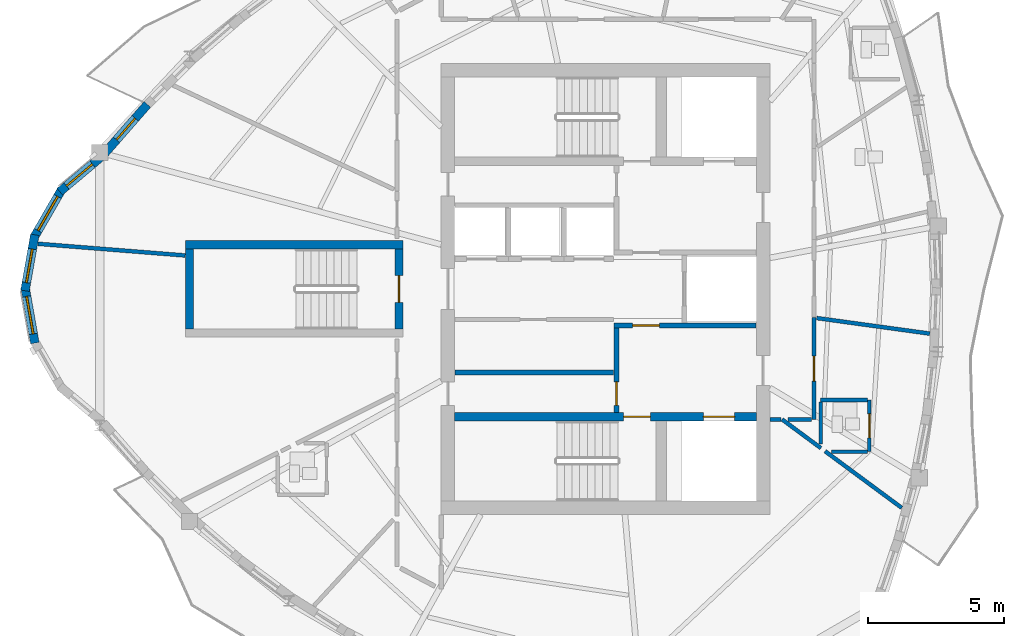
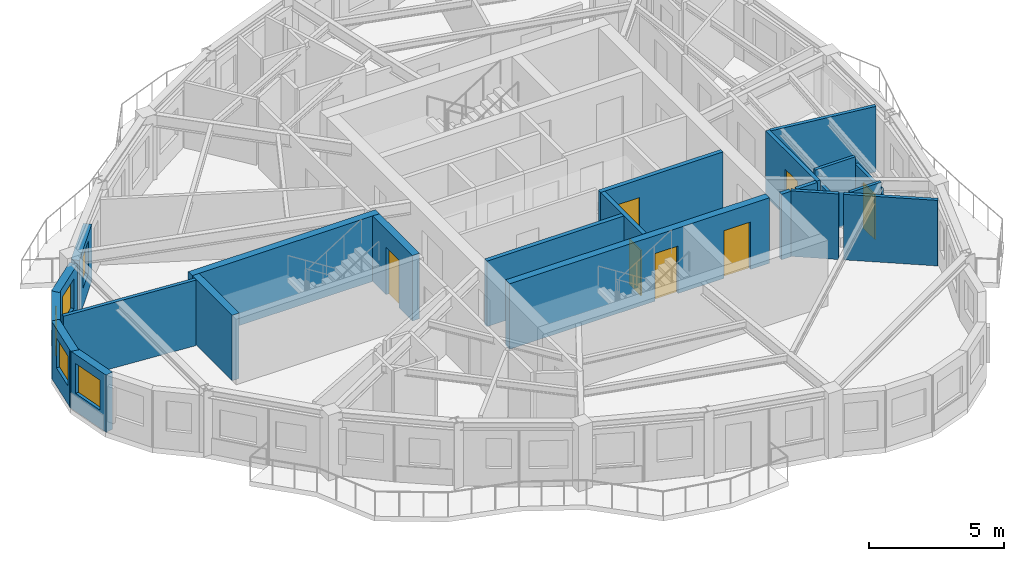
# One storey, part 4 of 12: 23 walls, 7 doors, 5 windows, 12 openings.
"""IFC4 building model written with IfcOpenShell, lengths in metres."""

import ifcopenshell
import ifcopenshell.guid

model = None  # the IFC model being written
_history = None  # IfcOwnerHistory: only IFC2X3 demands one
_inside = {}  # id of a spatial element -> (the spatial element, [elements in it])
_under = {}  # id of a project, library or spatial element -> (it, [spatial elements below it])
_declared = {}  # id of a project -> (the project, [libraries it declares])
_typed = {}  # id of a type object -> (the type object, [elements of that type])
_made_of = {}  # id of a material, layer set ... -> (it, [elements and type objects made of it])


def new_model(schema):
    """Start an empty IFC model of exactly this schema.

    Asked for "IFC4X3", IfcOpenShell would pick the latest addendum, in which some entities
    have other attributes; the version numbers below select the first issue.
    IFC2X3 requires an IfcOwnerHistory on every rooted entity: one is made here for all.
    """
    global model, _history
    if schema == "IFC4X3":
        model = ifcopenshell.file(schema_version=(4, 3, 0, 0))
    else:
        model = ifcopenshell.file(schema=schema)
    _inside.clear()
    _under.clear()
    _declared.clear()
    _typed.clear()
    _made_of.clear()
    _history = None
    if model.schema == "IFC2X3":
        org = make("IfcOrganization", Name="unknown")
        user = make(
            "IfcPersonAndOrganization",
            ThePerson=make("IfcPerson", FamilyName="unknown"),
            TheOrganization=org,
        )
        app = make(
            "IfcApplication",
            ApplicationDeveloper=org,
            Version="unknown",
            ApplicationFullName="unknown",
            ApplicationIdentifier="unknown",
        )
        _history = make(
            "IfcOwnerHistory",
            OwningUser=user,
            OwningApplication=app,
            ChangeAction="ADDED",
            CreationDate=0,
        )
    return model


def make(cls, **values):
    """One entity of the class cls with the attributes given. An attribute that is None is left unset."""
    return model.create_entity(
        cls, **{name: value for name, value in values.items() if value is not None}
    )


def rooted(cls, **values):
    """An entity with a GlobalId (a new one), such as an element, a storey or a relation."""
    return make(cls, GlobalId=ifcopenshell.guid.new(), OwnerHistory=_history, **values)


def si_unit(unit_type, name, prefix=None):
    """IfcSIUnit, for example si_unit("LENGTHUNIT", "METRE", prefix="MILLI")."""
    return make("IfcSIUnit", UnitType=unit_type, Prefix=prefix, Name=name)


def assignment(units):
    """IfcUnitAssignment: the units of a project."""
    return None if units is None else make("IfcUnitAssignment", Units=units)


def point(xyz):
    """IfcCartesianPoint."""
    return None if xyz is None else make("IfcCartesianPoint", Coordinates=xyz)


def direction(xyz):
    """IfcDirection."""
    return None if xyz is None else make("IfcDirection", DirectionRatios=xyz)


def frame(location, z_axis=None, x_axis=None):
    """IfcAxis2Placement3D, a coordinate frame: its origin and axes. An axis left out is left unset."""
    return make(
        "IfcAxis2Placement3D",
        Location=point(location),
        Axis=direction(z_axis),
        RefDirection=direction(x_axis),
    )


def frame_2d(location, x_axis=None):
    """IfcAxis2Placement2D, a coordinate frame in the plane: its origin and x axis."""
    return make(
        "IfcAxis2Placement2D", Location=point(location), RefDirection=direction(x_axis)
    )


def origin():
    """The frame at (0, 0, 0) with its axes left unset."""
    return frame((0.0, 0.0, 0.0))


def place(relative_to, where):
    """IfcLocalPlacement: puts the frame where relative to a parent placement (None: the world)."""
    return make(
        "IfcLocalPlacement", PlacementRelTo=relative_to, RelativePlacement=where
    )


def context(
    kind, dimensions, precision=None, world=None, true_north=None, identifier=None
):
    """IfcGeometricRepresentationContext, for example the 3D "Model" context."""
    return make(
        "IfcGeometricRepresentationContext",
        ContextIdentifier=identifier,
        ContextType=kind,
        CoordinateSpaceDimension=dimensions,
        Precision=precision,
        WorldCoordinateSystem=world,
        TrueNorth=true_north,
    )


def subcontext(parent, identifier, kind, view, scale=None):
    """IfcGeometricRepresentationSubContext, for example "Body" below "Model"."""
    return make(
        "IfcGeometricRepresentationSubContext",
        ContextIdentifier=identifier,
        ContextType=kind,
        ParentContext=parent,
        TargetScale=scale,
        TargetView=view,
    )


def project(units=None, contexts=None):
    """IfcProject with its units and contexts."""
    return rooted(
        "IfcProject",
        Name="project",
        RepresentationContexts=contexts,
        UnitsInContext=assignment(units),
    )


def spatial(cls, under=None, at=None, **own):
    """A site, building, storey or space (cls), placed at a placement, below another one or the project."""
    s = rooted(cls, ObjectPlacement=at, **own)
    if under is not None:
        _under.setdefault(under.id(), (under, []))[1].append(s)
    return s


def profile(cls, at=None, kind="AREA", **sizes):
    """A parametric profile (cls). Its sizes go by their IFC names, for example OverallWidth=200.0."""
    return make(cls, ProfileType=kind, Position=at, **sizes)


def rectangle(**sizes):
    """IfcRectangleProfileDef."""
    return profile("IfcRectangleProfileDef", **sizes)


def extrude(swept, where, along, depth):
    """IfcExtrudedAreaSolid: the profile swept, set in the frame where, extruded along a direction by depth."""
    return make(
        "IfcExtrudedAreaSolid",
        SweptArea=swept,
        Position=where,
        ExtrudedDirection=direction(along),
        Depth=depth,
    )


def shape(context_of_items, identifier, shape_type, items):
    """IfcShapeRepresentation: the items that make up one representation, for example the "Body"."""
    return make(
        "IfcShapeRepresentation",
        ContextOfItems=context_of_items,
        RepresentationIdentifier=identifier,
        RepresentationType=shape_type,
        Items=items,
    )


def source(mapping_origin, context_of_items, identifier, shape_type, items):
    """IfcRepresentationMap: a shape defined once, which mapped items show again and again."""
    return make(
        "IfcRepresentationMap",
        MappingOrigin=mapping_origin,
        MappedRepresentation=shape(context_of_items, identifier, shape_type, items),
    )


def transform(
    local_origin,
    x_axis=None,
    y_axis=None,
    z_axis=None,
    scale=None,
    scale2=None,
    scale3=None,
    uniform=True,
):
    """IfcCartesianTransformationOperator3D, or its non-uniform kind. x_axis, y_axis, z_axis: its Axis1, 2, 3."""
    if uniform:
        return make(
            "IfcCartesianTransformationOperator3D",
            Axis1=direction(x_axis),
            Axis2=direction(y_axis),
            LocalOrigin=point(local_origin),
            Scale=scale,
            Axis3=direction(z_axis),
        )
    return make(
        "IfcCartesianTransformationOperator3DnonUniform",
        Axis1=direction(x_axis),
        Axis2=direction(y_axis),
        LocalOrigin=point(local_origin),
        Scale=scale,
        Axis3=direction(z_axis),
        Scale2=scale2,
        Scale3=scale3,
    )


def mapped(mapping_source, mapping_target):
    """IfcMappedItem: shows the shape of a source again, moved by a transform."""
    return make(
        "IfcMappedItem", MappingSource=mapping_source, MappingTarget=mapping_target
    )


def material(Name=None, Category=None):
    """IfcMaterial."""
    return make("IfcMaterial", Name=Name, Category=Category)


def layer(
    of_material, thickness, ventilated=None, Name=None, Category=None, Priority=None
):
    """IfcMaterialLayer: one layer of a wall or slab, of a material (None: an air gap)."""
    return make(
        "IfcMaterialLayer",
        Material=of_material,
        LayerThickness=thickness,
        IsVentilated=ventilated,
        Name=Name,
        Category=Category,
        Priority=Priority,
    )


def layer_set(layers, Name=None):
    """IfcMaterialLayerSet."""
    return make("IfcMaterialLayerSet", MaterialLayers=layers, LayerSetName=Name)


def made_of(thing, what):
    """Note that an element or type object is made of a material, layer set ...; save() writes the relation."""
    if what is not None:
        _made_of.setdefault(what.id(), (what, []))[1].append(thing)
    return thing


def type_object(cls, material=None, **own):
    """A type object (cls), such as IfcWallType, which elements share."""
    return made_of(rooted(cls, **own), material)


def element(
    cls,
    number,
    at=None,
    inside=None,
    cuts=None,
    type_object=None,
    material=None,
    context=None,
    identifier="Body",
    shape_type=None,
    held_by="IfcProductDefinitionShape",
    body=None,
    shapes=None,
    **own,
):
    """One element of the class cls, such as IfcWall. Its Tag is "e" and its number.

    at: its placement. inside: the storey or other place that contains it. cuts: it is an
    opening in that element (IfcRelVoidsElement). A single representation is given by context,
    identifier, shape_type and body (its items); several are given by shapes. held_by: the class
    of the entity that holds the representations. save() writes the other relations.
    """
    e = rooted(cls, Tag="e%d" % number, ObjectPlacement=at, **own)
    if body is not None:
        shapes = [shape(context, identifier, shape_type, body)]
    if shapes is not None:
        e.Representation = make(held_by, Representations=shapes)
    if inside is not None:
        _inside.setdefault(inside.id(), (inside, []))[1].append(e)
    if cuts is not None:
        rooted(
            "IfcRelVoidsElement", RelatingBuildingElement=cuts, RelatedOpeningElement=e
        )
    if type_object is not None:
        _typed.setdefault(type_object.id(), (type_object, []))[1].append(e)
    return made_of(e, material)


def fill(opening, filler):
    """IfcRelFillsElement: the door or window that sits in an opening."""
    return rooted(
        "IfcRelFillsElement",
        RelatingOpeningElement=opening,
        RelatedBuildingElement=filler,
    )


def aggregate(whole, parts):
    """IfcRelAggregates: a whole, such as a stair, and the parts it consists of."""
    return rooted("IfcRelAggregates", RelatingObject=whole, RelatedObjects=parts)


def save(model, path):
    """Write the relations noted so far, then the file.

    IfcRelAggregates (storeys below a building ...), IfcRelContainedInSpatialStructure (elements
    in a storey), IfcRelDefinesByType, IfcRelAssociatesMaterial and IfcRelDeclares: one each for
    every whole, place, type object, material and project.
    """
    for whole, parts in _under.values():
        aggregate(whole, parts)
    for where, things in _inside.values():
        rooted(
            "IfcRelContainedInSpatialStructure",
            RelatedElements=things,
            RelatingStructure=where,
        )
    for kind, things in _typed.values():
        rooted("IfcRelDefinesByType", RelatedObjects=things, RelatingType=kind)
    for what, things in _made_of.values():
        rooted("IfcRelAssociatesMaterial", RelatedObjects=things, RelatingMaterial=what)
    for by, libraries in _declared.values():
        rooted("IfcRelDeclares", RelatingContext=by, RelatedDefinitions=libraries)
    model.write(path)


model = new_model("IFC4")

# Units and contexts
model_context = context("Model", 3, precision=1e-05, world=origin(), true_north=direction((0.0, 1.0)))
body_context = subcontext(model_context, "Body", "Model", "MODEL_VIEW")
ifc_project = project(units=[si_unit("LENGTHUNIT", "METRE"), si_unit("AREAUNIT", "SQUARE_METRE"), si_unit("VOLUMEUNIT", "CUBIC_METRE"), si_unit("PLANEANGLEUNIT", "RADIAN"), si_unit("MASSUNIT", "GRAM", prefix="KILO")], contexts=[model_context])

# Site, building, storey
site_placement = place(None, origin())
site = spatial("IfcSite", under=ifc_project, at=site_placement, CompositionType="ELEMENT")
building_placement = place(site_placement, origin())
building = spatial("IfcBuilding", under=site, at=building_placement, Name="Qafzar Sky-Pleat Residences", CompositionType="ELEMENT")
storey_placement = place(building_placement, frame((0.0, 0.0, 198.800048828125)))
storey = spatial("IfcBuildingStorey", under=building, at=storey_placement, Name="L59", CompositionType="ELEMENT", Elevation=198.800048828125)

# Wall, opening, door
ifc_material_1 = material(Name="Acoustic gypsum plasterboard partition", Category="gypsum")
ifc_layer_1 = layer(ifc_material_1, 0.159912109375)
ifc_layer_set_1 = layer_set([ifc_layer_1], Name="Acoustic gypsum plasterboard partition")
wall_type_1 = type_object("IfcWallType", Name="PART-COR-160", PredefinedType="PARTITIONING", material=ifc_layer_set_1)
wall_1_placement = place(storey_placement, frame((38.02001953125, 24.958984375, 0.0), z_axis=(0.0, 0.0, 1.0), x_axis=(0.0, -1.0, 0.0)))
wall_1 = element("IfcWall", 1, at=wall_1_placement, inside=storey, type_object=wall_type_1, Name="L59 Partition Wall PART-L59-PW-005", PredefinedType="PARTITIONING", context=body_context, shape_type="SweptSolid", body=[
    extrude(rectangle(XDim=3.759033203125, YDim=0.159912109375, at=frame_2d((1.87939453125, 0.0))), origin(), (0.0, 0.0, 1.0), 2.9599609375),
])
opening_1_placement = place(wall_1_placement, frame((1.427490234375, 0.0, 0.0)))
opening_1 = element("IfcOpeningElement", 2, at=opening_1_placement, cuts=wall_1, Name="Opening ID-04", PredefinedType="OPENING", context=body_context, shape_type="SweptSolid", body=[
    extrude(rectangle(XDim=0.919921875, YDim=2.10009765625, at=frame_2d((0.4599609375, 1.050048828125))), frame((0.0, 0.08984375, 0.0), z_axis=(0.0, -1.0, 0.0), x_axis=(1.0, 0.0, 0.0)), (0.0, 0.0, 1.0), 0.179931640625),
])
ifc_material_2 = material(Name="Timber-faced fire door", Category="wood")
door_type_1 = type_object("IfcDoorType", Name="DR-BED-920", OperationType="NOTDEFINED", PredefinedType="DOOR", material=ifc_material_2)
shared_shape_1 = source(origin(), body_context, "Body", "SweptSolid", [
    extrude(rectangle(XDim=0.919921875, YDim=2.10009765625, at=frame_2d((0.4599609375, 1.050048828125))), frame((0.0, 0.02490234375, 0.0), z_axis=(0.0, -1.0, 0.0), x_axis=(1.0, 0.0, 0.0)), (0.0, 0.0, 1.0), 0.050048828125),
])
door_1_placement = place(opening_1_placement, origin())
door_1 = element("IfcDoor", 3, at=door_1_placement, inside=storey, type_object=door_type_1, Name="L59 Co-Living Bedroom 2 Door", OperationType="SINGLE_SWING_LEFT", OverallHeight=2.10009765625, OverallWidth=0.919921875, PredefinedType="DOOR", context=body_context, shape_type="MappedRepresentation", body=[
    mapped(shared_shape_1, transform((0.0, 0.0, 0.0), x_axis=(1.0, 0.0, 0.0), y_axis=(0.0, 1.0, 0.0), z_axis=(0.0, 0.0, 1.0), scale=1.0)),
])
fill(opening_1, door_1)

# Walls
wall_2_placement = place(storey_placement, frame((37.05908203125, 21.199951171875, 0.0), z_axis=(0.0, 0.0, 1.0), x_axis=(1.0, 0.0, 0.0)))
element("IfcWall", 4, at=wall_2_placement, inside=storey, type_object=wall_type_1, Name="L59 Partition Wall PART-L59-PW-046", PredefinedType="PARTITIONING", context=body_context, shape_type="SweptSolid", body=[
    extrude(rectangle(XDim=0.872802734375, YDim=0.159912109375, at=frame_2d((0.4365234375, 0.0))), origin(), (0.0, 0.0, 1.0), 2.9599609375),
])
wall_3_placement = place(storey_placement, frame((36.39990234375, 21.199951171875, 0.0), z_axis=(0.0, 0.0, 1.0), x_axis=(1.0, 0.0, 0.0)))
element("IfcWall", 5, at=wall_3_placement, inside=storey, type_object=wall_type_1, Name="L59 Partition Wall PART-L59-PW-051", PredefinedType="PARTITIONING", context=body_context, shape_type="SweptSolid", body=[
    extrude(rectangle(XDim=0.406005859375, YDim=0.159912109375, at=frame_2d((0.203125, 0.0))), origin(), (0.0, 0.0, 1.0), 2.9599609375),
])

# Wall, opening, door
ifc_material_3 = material(Name="Concrete blockwork partition", Category="masonry")
ifc_layer_2 = layer(ifc_material_3, 0.179931640625)
ifc_layer_set_2 = layer_set([ifc_layer_2], Name="Concrete blockwork partition")
wall_type_2 = type_object("IfcWallType", Name="PART-SHAFT-180", PredefinedType="PARTITIONING", material=ifc_layer_set_2)
wall_4_placement = place(storey_placement, frame((30.75, 21.4599609375, 0.0), z_axis=(0.0, 0.0, 1.0), x_axis=(0.0, 1.0, 0.0)))
wall_4 = element("IfcWall", 6, at=wall_4_placement, inside=storey, type_object=wall_type_2, Name="L59 Partition Wall PART-L59-FFL1-W", PredefinedType="PARTITIONING", context=body_context, shape_type="SweptSolid", body=[
    extrude(rectangle(XDim=3.110107421875, YDim=0.179931640625, at=frame_2d((1.55517578125, 0.0))), origin(), (0.0, 0.0, 1.0), 2.9599609375),
])
opening_2_placement = place(wall_4_placement, frame((0.260009765625, 0.0, 0.0)))
opening_2 = element("IfcOpeningElement", 7, at=opening_2_placement, cuts=wall_4, Name="Opening ID-09", PredefinedType="OPENING", context=body_context, shape_type="SweptSolid", body=[
    extrude(rectangle(XDim=0.860107421875, YDim=2.050048828125, at=frame_2d((0.43017578125, 1.02490234375))), frame((0.0, 0.10009765625, 0.0), z_axis=(0.0, -1.0, 0.0), x_axis=(1.0, 0.0, 0.0)), (0.0, 0.0, 1.0), 0.199951171875),
])
door_type_2 = type_object("IfcDoorType", Name="DR-SVC-860", OperationType="NOTDEFINED", PredefinedType="DOOR", material=ifc_material_2)
shared_shape_2 = source(origin(), body_context, "Body", "SweptSolid", [
    extrude(rectangle(XDim=0.860107421875, YDim=2.050048828125, at=frame_2d((0.43017578125, 1.02490234375))), frame((0.0, 0.02490234375, 0.0), z_axis=(0.0, -1.0, 0.0), x_axis=(1.0, 0.0, 0.0)), (0.0, 0.0, 1.0), 0.050048828125),
])
door_2_placement = place(opening_2_placement, origin())
door_2 = element("IfcDoor", 8, at=door_2_placement, inside=storey, type_object=door_type_2, Name="L59 South Core Cupboard Door", OperationType="SINGLE_SWING_LEFT", OverallHeight=2.050048828125, OverallWidth=0.860107421875, PredefinedType="DOOR", context=body_context, shape_type="MappedRepresentation", body=[
    mapped(shared_shape_2, transform((0.0, 0.0, 0.0), x_axis=(1.0, 0.0, 0.0), y_axis=(0.0, 1.0, 0.0), z_axis=(0.0, 0.0, 1.0), scale=1.0)),
])
fill(opening_2, door_2)

wall_5_placement = place(storey_placement, frame((30.669921875, 24.659912109375, 0.0), z_axis=(0.0, 0.0, 1.0), x_axis=(1.0, 0.0, 0.0)))
wall_5 = element("IfcWall", 9, at=wall_5_placement, inside=storey, type_object=wall_type_2, Name="L59 Partition Wall PART-L59-FFL1-N", PredefinedType="PARTITIONING", context=body_context, shape_type="SweptSolid", body=[
    extrude(rectangle(XDim=5.219970703125, YDim=0.179931640625, at=frame_2d((2.60986328125, 0.0))), origin(), (0.0, 0.0, 1.0), 2.9599609375),
])
opening_3_placement = place(wall_5_placement, frame((0.679931640625, 0.0, 0.0)))
opening_3 = element("IfcOpeningElement", 10, at=opening_3_placement, cuts=wall_5, Name="Opening ID-01", PredefinedType="OPENING", context=body_context, shape_type="SweptSolid", body=[
    extrude(rectangle(XDim=0.97998046875, YDim=2.14990234375, at=frame_2d((0.489990234375, 1.074951171875))), frame((0.0, 0.10009765625, 0.0), z_axis=(0.0, -1.0, 0.0), x_axis=(1.0, 0.0, 0.0)), (0.0, 0.0, 1.0), 0.199951171875),
])
door_type_3 = type_object("IfcDoorType", Name="DR-STAIR-980", OperationType="NOTDEFINED", PredefinedType="DOOR", material=ifc_material_2)
shared_shape_3 = source(origin(), body_context, "Body", "SweptSolid", [
    extrude(rectangle(XDim=0.97998046875, YDim=2.14990234375, at=frame_2d((0.489990234375, 1.074951171875))), frame((0.0, 0.02490234375, 0.0), z_axis=(0.0, -1.0, 0.0), x_axis=(1.0, 0.0, 0.0)), (0.0, 0.0, 1.0), 0.050048828125),
])
door_3_placement = place(opening_3_placement, origin())
door_3 = element("IfcDoor", 11, at=door_3_placement, inside=storey, type_object=door_type_3, Name="L59 Lift Lobby to South Firefighting Lobby Door", OperationType="SINGLE_SWING_RIGHT", OverallHeight=2.14990234375, OverallWidth=0.97998046875, PredefinedType="DOOR", context=body_context, shape_type="MappedRepresentation", body=[
    mapped(shared_shape_3, transform((0.0, 0.0, 0.0), x_axis=(1.0, 0.0, 0.0), y_axis=(0.0, 1.0, 0.0), z_axis=(0.0, 0.0, 1.0), scale=1.0)),
])
fill(opening_3, door_3)

# Walls
wall_6_placement = place(storey_placement, frame((24.81005859375, 22.919921875, 0.0), z_axis=(0.0, 0.0, 1.0), x_axis=(1.0, 0.0, 0.0)))
element("IfcWall", 12, at=wall_6_placement, inside=storey, type_object=wall_type_2, Name="L59 Partition Wall PART-L59-P13-S", PredefinedType="PARTITIONING", context=body_context, shape_type="SweptSolid", body=[
    extrude(rectangle(XDim=5.83984375, YDim=0.179931640625, at=frame_2d((2.919921875, 0.0))), origin(), (0.0, 0.0, 1.0), 2.9599609375),
])
ifc_layer_3 = layer(ifc_material_1, 0.14501953125)
ifc_layer_set_3 = layer_set([ifc_layer_3], Name="Acoustic gypsum plasterboard partition")
wall_type_3 = type_object("IfcWallType", Name="PART-UNIT-145", PredefinedType="PARTITIONING", material=ifc_layer_set_3)
wall_7_placement = place(storey_placement, frame((9.472900390625, 27.660888671875, 0.0), z_axis=(0.0, 0.0, 1.0), x_axis=(0.996864548282, -0.079126938392, 0.0)))
element("IfcWall", 13, at=wall_7_placement, inside=storey, type_object=wall_type_3, Name="L59 Partition Wall PART-L59-PW-019", PredefinedType="PARTITIONING", context=body_context, shape_type="SweptSolid", body=[
    extrude(rectangle(XDim=5.430419921875, YDim=0.14501953125, at=frame_2d((2.71533203125, 0.0))), origin(), (0.0, 0.0, 1.0), 2.9599609375),
])
wall_8_placement = place(storey_placement, frame((38.117919921875, 24.929443359375, 0.0), z_axis=(0.0, 0.0, 1.0), x_axis=(0.990658246077, -0.136368029533, 0.0)))
element("IfcWall", 14, at=wall_8_placement, inside=storey, type_object=wall_type_3, Name="L59 Partition Wall PART-L59-PW-022", PredefinedType="PARTITIONING", context=body_context, shape_type="SweptSolid", body=[
    extrude(rectangle(XDim=4.201904296875, YDim=0.14501953125, at=frame_2d((2.10107421875, 0.0))), origin(), (0.0, 0.0, 1.0), 2.9599609375),
])
wall_9_placement = place(storey_placement, frame((38.428955078125, 20.030029296875, 0.0), z_axis=(0.0, 0.0, 1.0), x_axis=(0.804249944798, -0.594291196546, 0.0)))
element("IfcWall", 15, at=wall_9_placement, inside=storey, type_object=wall_type_3, Name="L59 Partition Wall PART-L59-PW-028", PredefinedType="PARTITIONING", context=body_context, shape_type="SweptSolid", body=[
    extrude(rectangle(XDim=3.505859375, YDim=0.14501953125, at=frame_2d((1.7529296875, 0.0))), origin(), (0.0, 0.0, 1.0), 2.9599609375),
])
wall_10_placement = place(storey_placement, frame((36.845947265625, 21.199951171875, 0.0), z_axis=(0.0, 0.0, 1.0), x_axis=(0.804250382672, -0.594290603974, 0.0)))
element("IfcWall", 16, at=wall_10_placement, inside=storey, type_object=wall_type_3, Name="L59 Partition Wall PART-L59-PW-035", PredefinedType="PARTITIONING", context=body_context, shape_type="SweptSolid", body=[
    extrude(rectangle(XDim=1.77685546875, YDim=0.14501953125, at=frame_2d((0.888427734375, 0.0))), origin(), (0.0, 0.0, 1.0), 2.9599609375),
])

# Wall, opening, door
ifc_material_4 = material(Name="Moisture-resistant gypsum partition", Category="gypsum")
ifc_layer_4 = layer(ifc_material_4, 0.1298828125)
ifc_layer_set_4 = layer_set([ifc_layer_4], Name="Moisture-resistant gypsum partition")
wall_type_4 = type_object("IfcWallType", Name="PART-WET-130", PredefinedType="PARTITIONING", material=ifc_layer_set_4)
wall_11_placement = place(storey_placement, frame((40.06005859375, 20.014892578125, 0.0), z_axis=(0.0, 0.0, 1.0), x_axis=(0.0, 1.0, 0.0)))
wall_11 = element("IfcWall", 17, at=wall_11_placement, inside=storey, type_object=wall_type_4, Name="L59 Partition Wall PART-L59-PW-013", PredefinedType="PARTITIONING", context=body_context, shape_type="SweptSolid", body=[
    extrude(rectangle(XDim=1.900146484375, YDim=0.1298828125, at=frame_2d((0.9501953125, 0.0))), origin(), (0.0, 0.0, 1.0), 2.597900390625),
])
opening_4_placement = place(wall_11_placement, frame((0.510009765625, 0.0, 0.0)))
opening_4 = element("IfcOpeningElement", 18, at=opening_4_placement, cuts=wall_11, Name="Opening ID-07", PredefinedType="OPENING", context=body_context, shape_type="SweptSolid", body=[
    extrude(rectangle(XDim=0.8798828125, YDim=2.050048828125, at=frame_2d((0.43994140625, 1.02490234375))), frame((0.0, 0.074951171875, 0.0), z_axis=(0.0, -1.0, 0.0), x_axis=(1.0, 0.0, 0.0)), (0.0, 0.0, 1.0), 0.14990234375),
])
door_type_4 = type_object("IfcDoorType", Name="DR-WET-880", OperationType="NOTDEFINED", PredefinedType="DOOR", material=ifc_material_2)
shared_shape_4 = source(origin(), body_context, "Body", "SweptSolid", [
    extrude(rectangle(XDim=0.8798828125, YDim=2.050048828125, at=frame_2d((0.43994140625, 1.02490234375))), frame((0.0, 0.02490234375, 0.0), z_axis=(0.0, -1.0, 0.0), x_axis=(1.0, 0.0, 0.0)), (0.0, 0.0, 1.0), 0.050048828125),
])
door_4_placement = place(opening_4_placement, origin())
door_4 = element("IfcDoor", 19, at=door_4_placement, inside=storey, type_object=door_type_4, Name="L59 En-suite Bathroom 2 Door", OperationType="SINGLE_SWING_RIGHT", OverallHeight=2.050048828125, OverallWidth=0.8798828125, PredefinedType="DOOR", context=body_context, shape_type="MappedRepresentation", body=[
    mapped(shared_shape_4, transform((0.0, 0.0, 0.0), x_axis=(1.0, 0.0, 0.0), y_axis=(0.0, 1.0, 0.0), z_axis=(0.0, 0.0, 1.0), scale=1.0)),
])
fill(opening_4, door_4)

# Walls
wall_12_placement = place(storey_placement, frame((38.260009765625, 21.9150390625, 0.0), z_axis=(0.0, 0.0, 1.0), x_axis=(1.0, 0.0, 0.0)))
element("IfcWall", 20, at=wall_12_placement, inside=storey, type_object=wall_type_4, Name="L59 Partition Wall PART-L59-PW-032", PredefinedType="PARTITIONING", context=body_context, shape_type="SweptSolid", body=[
    extrude(rectangle(XDim=1.72705078125, YDim=0.1298828125, at=frame_2d((0.863525390625, 0.0))), origin(), (0.0, 0.0, 1.0), 2.9599609375),
])
wall_13_placement = place(storey_placement, frame((38.260009765625, 20.30126953125, 0.0), z_axis=(0.0, 0.0, 1.0), x_axis=(0.0, 1.0, 0.0)))
element("IfcWall", 21, at=wall_13_placement, inside=storey, type_object=wall_type_4, Name="L59 Partition Wall PART-L59-PW-036", PredefinedType="PARTITIONING", context=body_context, shape_type="SweptSolid", body=[
    extrude(rectangle(XDim=1.540771484375, YDim=0.1298828125, at=frame_2d((0.7705078125, 0.0))), origin(), (0.0, 0.0, 1.0), 2.6279296875),
])
wall_14_placement = place(storey_placement, frame((38.66796875, 20.014892578125, 0.0), z_axis=(0.0, 0.0, 1.0), x_axis=(1.0, 0.0, 0.0)))
element("IfcWall", 22, at=wall_14_placement, inside=storey, type_object=wall_type_4, Name="L59 Partition Wall PART-L59-PW-037", PredefinedType="PARTITIONING", context=body_context, shape_type="SweptSolid", body=[
    extrude(rectangle(XDim=1.319091796875, YDim=0.1298828125, at=frame_2d((0.65966796875, 0.0))), origin(), (0.0, 0.0, 1.0), 2.9599609375),
])

# Wall, opening, window
ifc_material_5 = material(Name="Precast concrete C40/50 with honed Riyadh limestone", Category="concrete")
ifc_layer_5 = layer(ifc_material_5, 0.320068359375)
ifc_layer_set_5 = layer_set([ifc_layer_5], Name="Precast concrete C40/50 with honed Riyadh limestone")
wall_type_5 = type_object("IfcWallType", Name="WALL-EXT-320", PredefinedType="SOLIDWALL", material=ifc_layer_set_5)
wall_15_placement = place(storey_placement, frame((11.77392578125, 30.842529296875, 0.0), z_axis=(0.0, 0.0, 1.0), x_axis=(-0.766116451135, -0.642701784112, 0.0)))
wall_15 = element("IfcWall", 23, at=wall_15_placement, inside=storey, type_object=wall_type_5, Name="L59 Limestone Facade Wall 1", PredefinedType="SOLIDWALL", context=body_context, shape_type="SweptSolid", body=[
    extrude(rectangle(XDim=1.96240234375, YDim=0.320068359375, at=frame_2d((0.981201171875, 0.0))), origin(), (0.0, 0.0, 1.0), 2.579833984375),
])
opening_5_placement = place(wall_15_placement, frame((0.39111328125, 0.0, 0.820068359375)))
opening_5 = element("IfcOpeningElement", 24, at=opening_5_placement, cuts=wall_15, Name="Opening WN-11", PredefinedType="OPENING", context=body_context, shape_type="SweptSolid", body=[
    extrude(rectangle(XDim=1.25, YDim=1.35009765625, at=frame_2d((0.625, 0.675048828125))), frame((0.0, 0.169921875, 0.0), z_axis=(0.0, -1.0, 0.0), x_axis=(1.0, 0.0, 0.0)), (0.0, 0.0, 1.0), 0.340087890625),
])
ifc_material_6 = material(Name="Solar-control low-E glass in bronze aluminium frame", Category="glass")
window_type_1 = type_object("IfcWindowType", Name="WIN-11", PartitioningType="SINGLE_PANEL", PredefinedType="WINDOW", material=ifc_material_6)
shared_shape_5 = source(origin(), body_context, "Body", "SweptSolid", [
    extrude(rectangle(XDim=1.25, YDim=1.35009765625, at=frame_2d((0.625, 0.675048828125))), frame((0.0, 0.030029296875, 0.0), z_axis=(0.0, -1.0, 0.0), x_axis=(1.0, 0.0, 0.0)), (0.0, 0.0, 1.0), 0.06005859375),
])
window_1_placement = place(opening_5_placement, origin())
window_1 = element("IfcWindow", 25, at=window_1_placement, inside=storey, type_object=window_type_1, Name="L59 Punched Facade Window 01", OverallHeight=1.35009765625, OverallWidth=1.25, PartitioningType="SINGLE_PANEL", PredefinedType="WINDOW", context=body_context, shape_type="MappedRepresentation", body=[
    mapped(shared_shape_5, transform((0.0, 0.0, 0.0), x_axis=(1.0, 0.0, 0.0), y_axis=(0.0, 1.0, 0.0), z_axis=(0.0, 0.0, 1.0), scale=1.0)),
])
fill(opening_5, window_1)

wall_16_placement = place(storey_placement, frame((10.3544921875, 29.68115234375, 0.0), z_axis=(0.0, 0.0, 1.0), x_axis=(-0.499995423472, -0.866028046028, 0.0)))
wall_16 = element("IfcWall", 26, at=wall_16_placement, inside=storey, type_object=wall_type_5, Name="L59 Limestone Facade Wall 2", PredefinedType="SOLIDWALL", context=body_context, shape_type="SweptSolid", body=[
    extrude(rectangle(XDim=2.09033203125, YDim=0.320068359375, at=frame_2d((1.045166015625, 0.0))), origin(), (0.0, 0.0, 1.0), 2.579833984375),
])
opening_6_placement = place(wall_16_placement, frame((0.3203125, 0.0, 0.820068359375)))
opening_6 = element("IfcOpeningElement", 27, at=opening_6_placement, cuts=wall_16, Name="Opening WN-15", PredefinedType="OPENING", context=body_context, shape_type="SweptSolid", body=[
    extrude(rectangle(XDim=1.449951171875, YDim=1.25, at=frame_2d((0.72509765625, 0.625))), frame((0.0, 0.169921875, 0.0), z_axis=(0.0, -1.0, 0.0), x_axis=(1.0, 0.0, 0.0)), (0.0, 0.0, 1.0), 0.340087890625),
])
window_type_2 = type_object("IfcWindowType", Name="WIN-15", PartitioningType="SINGLE_PANEL", PredefinedType="WINDOW", material=ifc_material_6)
shared_shape_6 = source(origin(), body_context, "Body", "SweptSolid", [
    extrude(rectangle(XDim=1.449951171875, YDim=1.25, at=frame_2d((0.72509765625, 0.625))), frame((0.0, 0.030029296875, 0.0), z_axis=(0.0, -1.0, 0.0), x_axis=(1.0, 0.0, 0.0)), (0.0, 0.0, 1.0), 0.06005859375),
])
window_2_placement = place(opening_6_placement, origin())
window_2 = element("IfcWindow", 28, at=window_2_placement, inside=storey, type_object=window_type_2, Name="L59 Punched Facade Window 02", OverallHeight=1.25, OverallWidth=1.449951171875, PartitioningType="SINGLE_PANEL", PredefinedType="WINDOW", context=body_context, shape_type="MappedRepresentation", body=[
    mapped(shared_shape_6, transform((0.0, 0.0, 0.0), x_axis=(1.0, 0.0, 0.0), y_axis=(0.0, 1.0, 0.0), z_axis=(0.0, 0.0, 1.0), scale=1.0)),
])
fill(opening_6, window_2)

wall_17_placement = place(storey_placement, frame((9.35400390625, 27.993408203125, 0.0), z_axis=(0.0, 0.0, 1.0), x_axis=(-0.173672066494, -0.984803540469, 0.0)))
wall_17 = element("IfcWall", 29, at=wall_17_placement, inside=storey, type_object=wall_type_5, Name="L59 Limestone Facade Wall 3", PredefinedType="SOLIDWALL", context=body_context, shape_type="SweptSolid", body=[
    extrude(rectangle(XDim=2.09033203125, YDim=0.320068359375, at=frame_2d((1.045166015625, 0.0))), origin(), (0.0, 0.0, 1.0), 2.579833984375),
])
opening_7_placement = place(wall_17_placement, frame((0.53466796875, 0.0, 0.820068359375)))
opening_7 = element("IfcOpeningElement", 30, at=opening_7_placement, cuts=wall_17, Name="Opening WN-11", PredefinedType="OPENING", context=body_context, shape_type="SweptSolid", body=[
    extrude(rectangle(XDim=1.25, YDim=1.35009765625, at=frame_2d((0.625, 0.675048828125))), frame((0.0, 0.169921875, 0.0), z_axis=(0.0, -1.0, 0.0), x_axis=(1.0, 0.0, 0.0)), (0.0, 0.0, 1.0), 0.340087890625),
])
window_3_placement = place(opening_7_placement, origin())
window_3 = element("IfcWindow", 31, at=window_3_placement, inside=storey, type_object=window_type_1, Name="L59 Punched Facade Window 03", OverallHeight=1.35009765625, OverallWidth=1.25, PartitioningType="SINGLE_PANEL", PredefinedType="WINDOW", context=body_context, shape_type="MappedRepresentation", body=[
    mapped(shared_shape_5, transform((0.0, 0.0, 0.0), x_axis=(1.0, 0.0, 0.0), y_axis=(0.0, 1.0, 0.0), z_axis=(0.0, 0.0, 1.0), scale=1.0)),
])
fill(opening_7, window_3)

wall_18_placement = place(storey_placement, frame((8.990966796875, 26.065185546875, 0.0), z_axis=(0.0, 0.0, 1.0), x_axis=(0.173672066494, -0.984803540469, 0.0)))
wall_18 = element("IfcWall", 32, at=wall_18_placement, inside=storey, type_object=wall_type_5, Name="L59 Limestone Facade Wall 4", PredefinedType="SOLIDWALL", context=body_context, shape_type="SweptSolid", body=[
    extrude(rectangle(XDim=2.09033203125, YDim=0.320068359375, at=frame_2d((1.045166015625, 0.0))), origin(), (0.0, 0.0, 1.0), 2.579833984375),
])
opening_8_placement = place(wall_18_placement, frame((0.34521484375, 0.0, 0.820068359375)))
opening_8 = element("IfcOpeningElement", 33, at=opening_8_placement, cuts=wall_18, Name="Opening WN-10", PredefinedType="OPENING", context=body_context, shape_type="SweptSolid", body=[
    extrude(rectangle(XDim=1.39990234375, YDim=1.35009765625, at=frame_2d((0.699951171875, 0.675048828125))), frame((0.0, 0.169921875, 0.0), z_axis=(0.0, -1.0, 0.0), x_axis=(1.0, 0.0, 0.0)), (0.0, 0.0, 1.0), 0.340087890625),
])
window_type_3 = type_object("IfcWindowType", Name="WIN-10", PartitioningType="SINGLE_PANEL", PredefinedType="WINDOW", material=ifc_material_6)
shared_shape_7 = source(origin(), body_context, "Body", "SweptSolid", [
    extrude(rectangle(XDim=1.39990234375, YDim=1.35009765625, at=frame_2d((0.699951171875, 0.675048828125))), frame((0.0, 0.030029296875, 0.0), z_axis=(0.0, -1.0, 0.0), x_axis=(1.0, 0.0, 0.0)), (0.0, 0.0, 1.0), 0.06005859375),
])
window_4_placement = place(opening_8_placement, origin())
window_4 = element("IfcWindow", 34, at=window_4_placement, inside=storey, type_object=window_type_3, Name="L59 Punched Facade Window 04", OverallHeight=1.35009765625, OverallWidth=1.39990234375, PartitioningType="SINGLE_PANEL", PredefinedType="WINDOW", context=body_context, shape_type="MappedRepresentation", body=[
    mapped(shared_shape_7, transform((0.0, 0.0, 0.0), x_axis=(1.0, 0.0, 0.0), y_axis=(0.0, 1.0, 0.0), z_axis=(0.0, 0.0, 1.0), scale=1.0)),
])
fill(opening_8, window_4)

wall_19_placement = place(storey_placement, frame((13.493896484375, 32.788818359375, 0.0), z_axis=(0.0, 0.0, 1.0), x_axis=(-0.65765213646, -0.753321755566, 0.0)))
wall_19 = element("IfcWall", 35, at=wall_19_placement, inside=storey, type_object=wall_type_5, Name="L59 Limestone Facade Wall 48", PredefinedType="SOLIDWALL", context=body_context, shape_type="SweptSolid", body=[
    extrude(rectangle(XDim=2.393798828125, YDim=0.320068359375, at=frame_2d((1.19677734375, 0.0))), origin(), (0.0, 0.0, 1.0), 2.579833984375),
])
opening_9_placement = place(wall_19_placement, frame((0.6767578125, 0.0, 0.820068359375)))
opening_9 = element("IfcOpeningElement", 36, at=opening_9_placement, cuts=wall_19, Name="Opening WN-06", PredefinedType="OPENING", context=body_context, shape_type="SweptSolid", body=[
    extrude(rectangle(XDim=1.050048828125, YDim=1.449951171875, at=frame_2d((0.52490234375, 0.72509765625))), frame((0.0, 0.169921875, 0.0), z_axis=(0.0, -1.0, 0.0), x_axis=(1.0, 0.0, 0.0)), (0.0, 0.0, 1.0), 0.340087890625),
])
window_type_4 = type_object("IfcWindowType", Name="WIN-06", PartitioningType="SINGLE_PANEL", PredefinedType="WINDOW", material=ifc_material_6)
shared_shape_8 = source(origin(), body_context, "Body", "SweptSolid", [
    extrude(rectangle(XDim=1.050048828125, YDim=1.449951171875, at=frame_2d((0.52490234375, 0.72509765625))), frame((0.0, 0.030029296875, 0.0), z_axis=(0.0, -1.0, 0.0), x_axis=(1.0, 0.0, 0.0)), (0.0, 0.0, 1.0), 0.06005859375),
])
window_5_placement = place(opening_9_placement, origin())
window_5 = element("IfcWindow", 37, at=window_5_placement, inside=storey, type_object=window_type_4, Name="L59 Punched Facade Window 48", OverallHeight=1.449951171875, OverallWidth=1.050048828125, PartitioningType="SINGLE_PANEL", PredefinedType="WINDOW", context=body_context, shape_type="MappedRepresentation", body=[
    mapped(shared_shape_8, transform((0.0, 0.0, 0.0), x_axis=(1.0, 0.0, 0.0), y_axis=(0.0, 1.0, 0.0), z_axis=(0.0, 0.0, 1.0), scale=1.0)),
])
fill(opening_9, window_5)

# Wall, openings, doors
ifc_material_7 = material(Name="Concrete C60/75", Category="concrete")
ifc_layer_6 = layer(ifc_material_7, 0.300048828125)
ifc_layer_set_6 = layer_set([ifc_layer_6], Name="Concrete C60/75")
wall_type_6 = type_object("IfcWallType", Name="WALL-SHEAR-300", PredefinedType="SHEAR", material=ifc_layer_set_6)
wall_20_placement = place(storey_placement, frame((24.800048828125, 21.300048828125, 0.0), z_axis=(0.0, 0.0, 1.0), x_axis=(1.0, 0.0, 0.0)))
wall_20 = element("IfcWall", 38, at=wall_20_placement, inside=storey, type_object=wall_type_6, Name="L59 Stair ST1 and FF1 Shaft North Wall", PredefinedType="SHEAR", context=body_context, shape_type="SweptSolid", body=[
    extrude(rectangle(XDim=11.099853515625, YDim=0.300048828125, at=frame_2d((5.5498046875, 0.0))), origin(), (0.0, 0.0, 1.0), 2.9599609375),
])
opening_10_placement = place(wall_20_placement, frame((6.219970703125, 0.0, 0.0)))
opening_10 = element("IfcOpeningElement", 39, at=opening_10_placement, cuts=wall_20, Name="Opening ID-01", PredefinedType="OPENING", context=body_context, shape_type="SweptSolid", body=[
    extrude(rectangle(XDim=0.97998046875, YDim=2.14990234375, at=frame_2d((0.489990234375, 1.074951171875))), frame((0.0, 0.16015625, 0.0), z_axis=(0.0, -1.0, 0.0), x_axis=(1.0, 0.0, 0.0)), (0.0, 0.0, 1.0), 0.320068359375),
])
opening_11_placement = place(wall_20_placement, frame((9.14990234375, 0.0, 0.0)))
opening_11 = element("IfcOpeningElement", 40, at=opening_11_placement, cuts=wall_20, Name="Opening LD-02", PredefinedType="OPENING", context=body_context, shape_type="SweptSolid", body=[
    extrude(rectangle(XDim=1.14990234375, YDim=2.14990234375, at=frame_2d((0.574951171875, 1.074951171875))), frame((0.0, 0.16015625, 0.0), z_axis=(0.0, -1.0, 0.0), x_axis=(1.0, 0.0, 0.0)), (0.0, 0.0, 1.0), 0.320068359375),
])
door_5_placement = place(opening_10_placement, origin())
door_5 = element("IfcDoor", 41, at=door_5_placement, inside=storey, type_object=door_type_3, Name="L59 Stair ST1 Fire Door", OperationType="SINGLE_SWING_RIGHT", OverallHeight=2.14990234375, OverallWidth=0.97998046875, PredefinedType="DOOR", context=body_context, shape_type="MappedRepresentation", body=[
    mapped(shared_shape_3, transform((0.0, 0.0, 0.0), x_axis=(1.0, 0.0, 0.0), y_axis=(0.0, 1.0, 0.0), z_axis=(0.0, 0.0, 1.0), scale=1.0)),
])
fill(opening_10, door_5)
ifc_material_8 = material(Name="Stainless steel sliding landing door", Category="steel")
door_type_5 = type_object("IfcDoorType", Name="DR-LIFT-FF", OperationType="DOUBLE_DOOR_SLIDING", PredefinedType="DOOR", material=ifc_material_8)
shared_shape_9 = source(origin(), body_context, "Body", "SweptSolid", [
    extrude(rectangle(XDim=1.14990234375, YDim=2.14990234375, at=frame_2d((0.574951171875, 1.074951171875))), frame((0.0, 0.02490234375, 0.0), z_axis=(0.0, -1.0, 0.0), x_axis=(1.0, 0.0, 0.0)), (0.0, 0.0, 1.0), 0.050048828125),
])
door_6_placement = place(opening_11_placement, origin())
door_6 = element("IfcDoor", 42, at=door_6_placement, inside=storey, type_object=door_type_5, Name="L59 Firefighting Lift FF1 Landing Door", OperationType="DOUBLE_DOOR_SLIDING", OverallHeight=2.14990234375, OverallWidth=1.14990234375, PredefinedType="DOOR", context=body_context, shape_type="MappedRepresentation", body=[
    mapped(shared_shape_9, transform((0.0, 0.0, 0.0), x_axis=(1.0, 0.0, 0.0), y_axis=(0.0, 1.0, 0.0), z_axis=(0.0, 0.0, 1.0), scale=1.0)),
])
fill(opening_11, door_6)

# Walls
wall_21_placement = place(storey_placement, frame((22.89990234375, 27.625, 0.0), z_axis=(0.0, 0.0, 1.0), x_axis=(-1.0, 0.0, 0.0)))
element("IfcWall", 43, at=wall_21_placement, inside=storey, type_object=wall_type_6, Name="L59 ST3 wall N", PredefinedType="SHEAR", context=body_context, shape_type="SweptSolid", body=[
    extrude(rectangle(XDim=8.0, YDim=0.300048828125, at=frame_2d((4.0, 0.0))), origin(), (0.0, 0.0, 1.0), 2.9599609375),
])
wall_22_placement = place(storey_placement, frame((15.050048828125, 27.47509765625, 0.0), z_axis=(0.0, 0.0, 1.0), x_axis=(0.0, -1.0, 0.0)))
element("IfcWall", 44, at=wall_22_placement, inside=storey, type_object=wall_type_6, Name="L59 ST3 wall W", PredefinedType="SHEAR", context=body_context, shape_type="SweptSolid", body=[
    extrude(rectangle(XDim=2.9501953125, YDim=0.300048828125, at=frame_2d((1.47509765625, 0.0))), origin(), (0.0, 0.0, 1.0), 2.9599609375),
])

# Wall, opening, door
wall_23_placement = place(storey_placement, frame((22.75, 24.52490234375, 0.0), z_axis=(0.0, 0.0, 1.0), x_axis=(0.0, 1.0, 0.0)))
wall_23 = element("IfcWall", 45, at=wall_23_placement, inside=storey, type_object=wall_type_6, Name="L59 ST3 wall E", PredefinedType="SHEAR", context=body_context, shape_type="SweptSolid", body=[
    extrude(rectangle(XDim=2.9501953125, YDim=0.300048828125, at=frame_2d((1.47509765625, 0.0))), origin(), (0.0, 0.0, 1.0), 2.9599609375),
])
opening_12_placement = place(wall_23_placement, frame((0.985107421875, 0.0, 0.0)))
opening_12 = element("IfcOpeningElement", 46, at=opening_12_placement, cuts=wall_23, Name="Opening ID-01", PredefinedType="OPENING", context=body_context, shape_type="SweptSolid", body=[
    extrude(rectangle(XDim=0.97998046875, YDim=2.14990234375, at=frame_2d((0.489990234375, 1.074951171875))), frame((0.0, 0.16015625, 0.0), z_axis=(0.0, -1.0, 0.0), x_axis=(1.0, 0.0, 0.0)), (0.0, 0.0, 1.0), 0.320068359375),
])
door_7_placement = place(opening_12_placement, origin())
door_7 = element("IfcDoor", 47, at=door_7_placement, inside=storey, type_object=door_type_3, Name="L59 Stair ST3 Fire Door", OperationType="SINGLE_SWING_RIGHT", OverallHeight=2.14990234375, OverallWidth=0.97998046875, PredefinedType="DOOR", context=body_context, shape_type="MappedRepresentation", body=[
    mapped(shared_shape_3, transform((0.0, 0.0, 0.0), x_axis=(1.0, 0.0, 0.0), y_axis=(0.0, 1.0, 0.0), z_axis=(0.0, 0.0, 1.0), scale=1.0)),
])
fill(opening_12, door_7)

save(model, "model.ifc")
